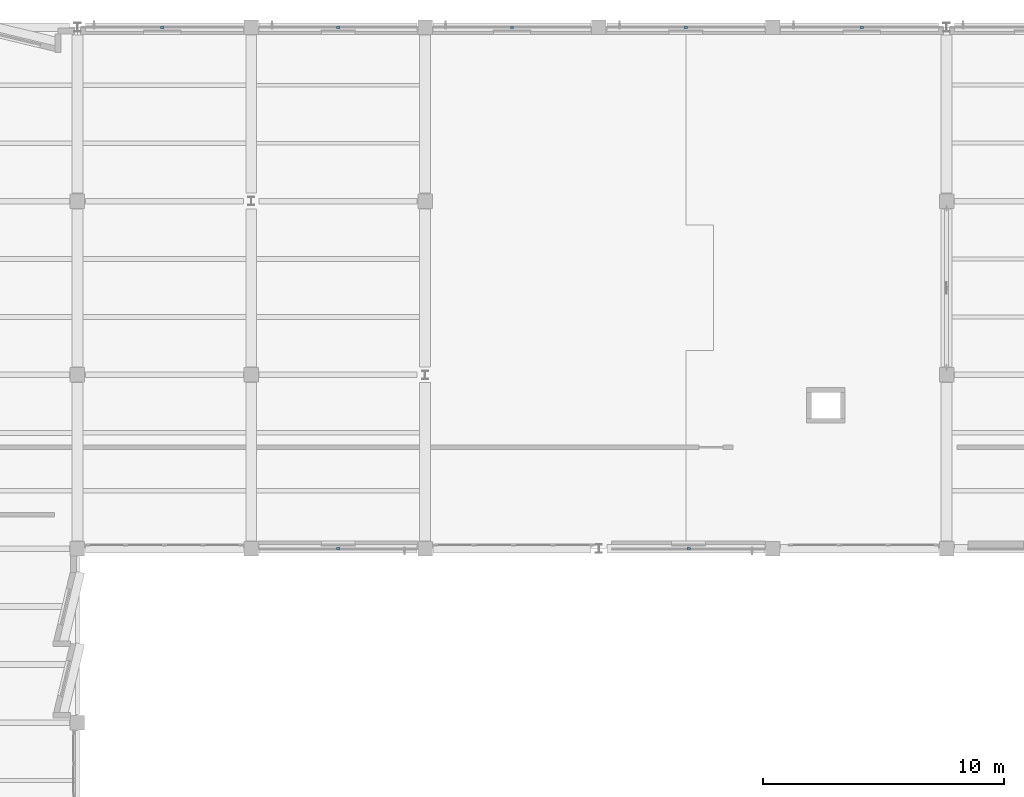
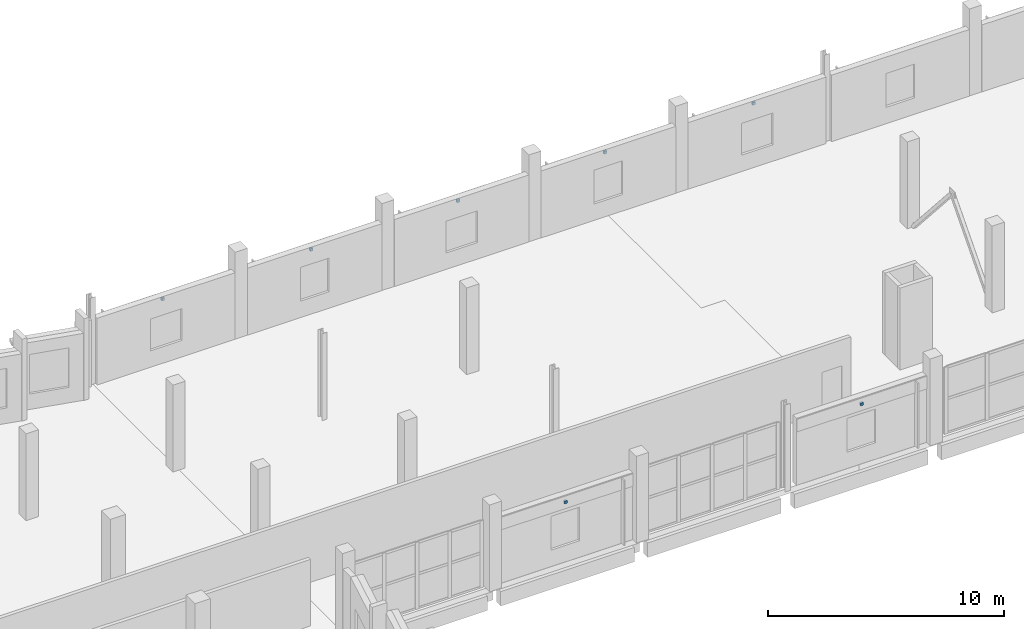
# One storey, part 100 of 123: 7 discrete accessories.
"""IFC4 building model written with IfcOpenShell, lengths in metres."""

import ifcopenshell
import ifcopenshell.guid

model = None  # the IFC model being written
_history = None  # IfcOwnerHistory: only IFC2X3 demands one
_inside = {}  # id of a spatial element -> (the spatial element, [elements in it])
_under = {}  # id of a project, library or spatial element -> (it, [spatial elements below it])
_declared = {}  # id of a project -> (the project, [libraries it declares])
_typed = {}  # id of a type object -> (the type object, [elements of that type])
_made_of = {}  # id of a material, layer set ... -> (it, [elements and type objects made of it])


def new_model(schema):
    """Start an empty IFC model of exactly this schema.

    Asked for "IFC4X3", IfcOpenShell would pick the latest addendum, in which some entities
    have other attributes; the version numbers below select the first issue.
    IFC2X3 requires an IfcOwnerHistory on every rooted entity: one is made here for all.
    """
    global model, _history
    if schema == "IFC4X3":
        model = ifcopenshell.file(schema_version=(4, 3, 0, 0))
    else:
        model = ifcopenshell.file(schema=schema)
    _inside.clear()
    _under.clear()
    _declared.clear()
    _typed.clear()
    _made_of.clear()
    _history = None
    if model.schema == "IFC2X3":
        org = make("IfcOrganization", Name="unknown")
        user = make(
            "IfcPersonAndOrganization",
            ThePerson=make("IfcPerson", FamilyName="unknown"),
            TheOrganization=org,
        )
        app = make(
            "IfcApplication",
            ApplicationDeveloper=org,
            Version="unknown",
            ApplicationFullName="unknown",
            ApplicationIdentifier="unknown",
        )
        _history = make(
            "IfcOwnerHistory",
            OwningUser=user,
            OwningApplication=app,
            ChangeAction="ADDED",
            CreationDate=0,
        )
    return model


def make(cls, **values):
    """One entity of the class cls with the attributes given. An attribute that is None is left unset."""
    return model.create_entity(
        cls, **{name: value for name, value in values.items() if value is not None}
    )


def rooted(cls, **values):
    """An entity with a GlobalId (a new one), such as an element, a storey or a relation."""
    return make(cls, GlobalId=ifcopenshell.guid.new(), OwnerHistory=_history, **values)


def si_unit(unit_type, name, prefix=None):
    """IfcSIUnit, for example si_unit("LENGTHUNIT", "METRE", prefix="MILLI")."""
    return make("IfcSIUnit", UnitType=unit_type, Prefix=prefix, Name=name)


def assignment(units):
    """IfcUnitAssignment: the units of a project."""
    return None if units is None else make("IfcUnitAssignment", Units=units)


def point(xyz):
    """IfcCartesianPoint."""
    return None if xyz is None else make("IfcCartesianPoint", Coordinates=xyz)


def direction(xyz):
    """IfcDirection."""
    return None if xyz is None else make("IfcDirection", DirectionRatios=xyz)


def frame(location, z_axis=None, x_axis=None):
    """IfcAxis2Placement3D, a coordinate frame: its origin and axes. An axis left out is left unset."""
    return make(
        "IfcAxis2Placement3D",
        Location=point(location),
        Axis=direction(z_axis),
        RefDirection=direction(x_axis),
    )


def frame_2d(location, x_axis=None):
    """IfcAxis2Placement2D, a coordinate frame in the plane: its origin and x axis."""
    return make(
        "IfcAxis2Placement2D", Location=point(location), RefDirection=direction(x_axis)
    )


def origin():
    """The frame at (0, 0, 0) with its axes left unset."""
    return frame((0.0, 0.0, 0.0))


def origin_2d():
    """The frame at (0, 0) in the plane with its x axis left unset."""
    return frame_2d((0.0, 0.0))


def place(relative_to, where):
    """IfcLocalPlacement: puts the frame where relative to a parent placement (None: the world)."""
    return make(
        "IfcLocalPlacement", PlacementRelTo=relative_to, RelativePlacement=where
    )


def context(
    kind, dimensions, precision=None, world=None, true_north=None, identifier=None
):
    """IfcGeometricRepresentationContext, for example the 3D "Model" context."""
    return make(
        "IfcGeometricRepresentationContext",
        ContextIdentifier=identifier,
        ContextType=kind,
        CoordinateSpaceDimension=dimensions,
        Precision=precision,
        WorldCoordinateSystem=world,
        TrueNorth=true_north,
    )


def subcontext(parent, identifier, kind, view, scale=None):
    """IfcGeometricRepresentationSubContext, for example "Body" below "Model"."""
    return make(
        "IfcGeometricRepresentationSubContext",
        ContextIdentifier=identifier,
        ContextType=kind,
        ParentContext=parent,
        TargetScale=scale,
        TargetView=view,
    )


def project(units=None, contexts=None):
    """IfcProject with its units and contexts."""
    return rooted(
        "IfcProject",
        Name="project",
        RepresentationContexts=contexts,
        UnitsInContext=assignment(units),
    )


def spatial(cls, under=None, at=None, **own):
    """A site, building, storey or space (cls), placed at a placement, below another one or the project."""
    s = rooted(cls, ObjectPlacement=at, **own)
    if under is not None:
        _under.setdefault(under.id(), (under, []))[1].append(s)
    return s


def profile(cls, at=None, kind="AREA", **sizes):
    """A parametric profile (cls). Its sizes go by their IFC names, for example OverallWidth=200.0."""
    return make(cls, ProfileType=kind, Position=at, **sizes)


def rectangle(**sizes):
    """IfcRectangleProfileDef."""
    return profile("IfcRectangleProfileDef", **sizes)


def extrude(swept, where, along, depth):
    """IfcExtrudedAreaSolid: the profile swept, set in the frame where, extruded along a direction by depth."""
    return make(
        "IfcExtrudedAreaSolid",
        SweptArea=swept,
        Position=where,
        ExtrudedDirection=direction(along),
        Depth=depth,
    )


def shape(context_of_items, identifier, shape_type, items):
    """IfcShapeRepresentation: the items that make up one representation, for example the "Body"."""
    return make(
        "IfcShapeRepresentation",
        ContextOfItems=context_of_items,
        RepresentationIdentifier=identifier,
        RepresentationType=shape_type,
        Items=items,
    )


def material(Name=None, Category=None):
    """IfcMaterial."""
    return make("IfcMaterial", Name=Name, Category=Category)


def made_of(thing, what):
    """Note that an element or type object is made of a material, layer set ...; save() writes the relation."""
    if what is not None:
        _made_of.setdefault(what.id(), (what, []))[1].append(thing)
    return thing


def type_object(cls, material=None, **own):
    """A type object (cls), such as IfcWallType, which elements share."""
    return made_of(rooted(cls, **own), material)


def element(
    cls,
    number,
    at=None,
    inside=None,
    cuts=None,
    type_object=None,
    material=None,
    context=None,
    identifier="Body",
    shape_type=None,
    held_by="IfcProductDefinitionShape",
    body=None,
    shapes=None,
    **own,
):
    """One element of the class cls, such as IfcWall. Its Tag is "e" and its number.

    at: its placement. inside: the storey or other place that contains it. cuts: it is an
    opening in that element (IfcRelVoidsElement). A single representation is given by context,
    identifier, shape_type and body (its items); several are given by shapes. held_by: the class
    of the entity that holds the representations. save() writes the other relations.
    """
    e = rooted(cls, Tag="e%d" % number, ObjectPlacement=at, **own)
    if body is not None:
        shapes = [shape(context, identifier, shape_type, body)]
    if shapes is not None:
        e.Representation = make(held_by, Representations=shapes)
    if inside is not None:
        _inside.setdefault(inside.id(), (inside, []))[1].append(e)
    if cuts is not None:
        rooted(
            "IfcRelVoidsElement", RelatingBuildingElement=cuts, RelatedOpeningElement=e
        )
    if type_object is not None:
        _typed.setdefault(type_object.id(), (type_object, []))[1].append(e)
    return made_of(e, material)


def aggregate(whole, parts):
    """IfcRelAggregates: a whole, such as a stair, and the parts it consists of."""
    return rooted("IfcRelAggregates", RelatingObject=whole, RelatedObjects=parts)


def save(model, path):
    """Write the relations noted so far, then the file.

    IfcRelAggregates (storeys below a building ...), IfcRelContainedInSpatialStructure (elements
    in a storey), IfcRelDefinesByType, IfcRelAssociatesMaterial and IfcRelDeclares: one each for
    every whole, place, type object, material and project.
    """
    for whole, parts in _under.values():
        aggregate(whole, parts)
    for where, things in _inside.values():
        rooted(
            "IfcRelContainedInSpatialStructure",
            RelatedElements=things,
            RelatingStructure=where,
        )
    for kind, things in _typed.values():
        rooted("IfcRelDefinesByType", RelatedObjects=things, RelatingType=kind)
    for what, things in _made_of.values():
        rooted("IfcRelAssociatesMaterial", RelatedObjects=things, RelatingMaterial=what)
    for by, libraries in _declared.values():
        rooted("IfcRelDeclares", RelatingContext=by, RelatedDefinitions=libraries)
    model.write(path)


model = new_model("IFC4")

# Units and contexts
model_context = context("Model", 3, precision=1e-05, world=origin(), true_north=direction((0.0, 1.0)))
body_context = subcontext(model_context, "Body", "Model", "MODEL_VIEW")
ifc_project = project(units=[si_unit("LENGTHUNIT", "METRE"), si_unit("AREAUNIT", "SQUARE_METRE"), si_unit("VOLUMEUNIT", "CUBIC_METRE"), si_unit("PLANEANGLEUNIT", "RADIAN"), si_unit("MASSUNIT", "GRAM", prefix="KILO")], contexts=[model_context])

# Site, building, storey
site_placement = place(None, origin())
site = spatial("IfcSite", under=ifc_project, at=site_placement, CompositionType="ELEMENT")
building_placement = place(site_placement, origin())
building = spatial("IfcBuilding", under=site, at=building_placement, Name="Kalmorath City Hall", CompositionType="ELEMENT")
storey_placement = place(building_placement, frame((0.0, 0.0, 10.199951171875)))
storey = spatial("IfcBuildingStorey", under=building, at=storey_placement, Name="L02", CompositionType="ELEMENT", Elevation=10.199951171875)

# Discrete accessories
ifc_material = material(Name="Stainless steel Grade 316", Category="steel")
discrete_accessory_type = type_object("IfcDiscreteAccessoryType", Name="Stainless rainscreen support bracket", PredefinedType="BRACKET", material=ifc_material)
for number, where, z_axis, x_axis, name in (
    (1, (32.3134765625, 115.18994140625, 3.03125), (0.0, 0.0, 1.0), (1.0, 0.0, 0.0), "L02 basalt anchor bracket #39"),
    (2, (39.60009765625, 115.18994140625, 3.05126953125), (0.0, 0.0, 1.0), (1.0, 0.0, 0.0), "L02 basalt anchor bracket #40"),
    (3, (46.800048828125, 115.18994140625, 3.05126953125), (0.0, 0.0, 1.0), (1.0, 0.0, 0.0), "L02 basalt anchor bracket #41"),
    (4, (54.0, 115.18994140625, 3.05126953125), (0.0, 0.0, 1.0), (1.0, 0.0, 0.0), "L02 basalt anchor bracket #42"),
    (5, (61.28662109375, 115.18994140625, 3.03125), (0.0, 0.0, 1.0), (1.0, 0.0, 0.0), "L02 basalt anchor bracket #43"),
    (6, (54.11474609375, 93.610107421875, 3.05126953125), (0.0, 0.0, 1.0), (-1.0, 0.0, 0.0), "L02 basalt anchor bracket #56"),
    (7, (39.60009765625, 93.610107421875, 3.05126953125), (0.0, 0.0, 1.0), (-1.0, 0.0, 0.0), "L02 basalt anchor bracket #57"),
):
    element("IfcDiscreteAccessory", number, at=place(storey_placement, frame(where, z_axis=z_axis, x_axis=x_axis)), inside=storey, type_object=discrete_accessory_type, Name=name, PredefinedType="BRACKET", context=body_context, shape_type="SweptSolid", body=[
        extrude(rectangle(XDim=0.139892578125, YDim=0.10009765625, at=origin_2d()), origin(), (0.0, 0.0, 1.0), 0.139892578125),
    ])

save(model, "model.ifc")
